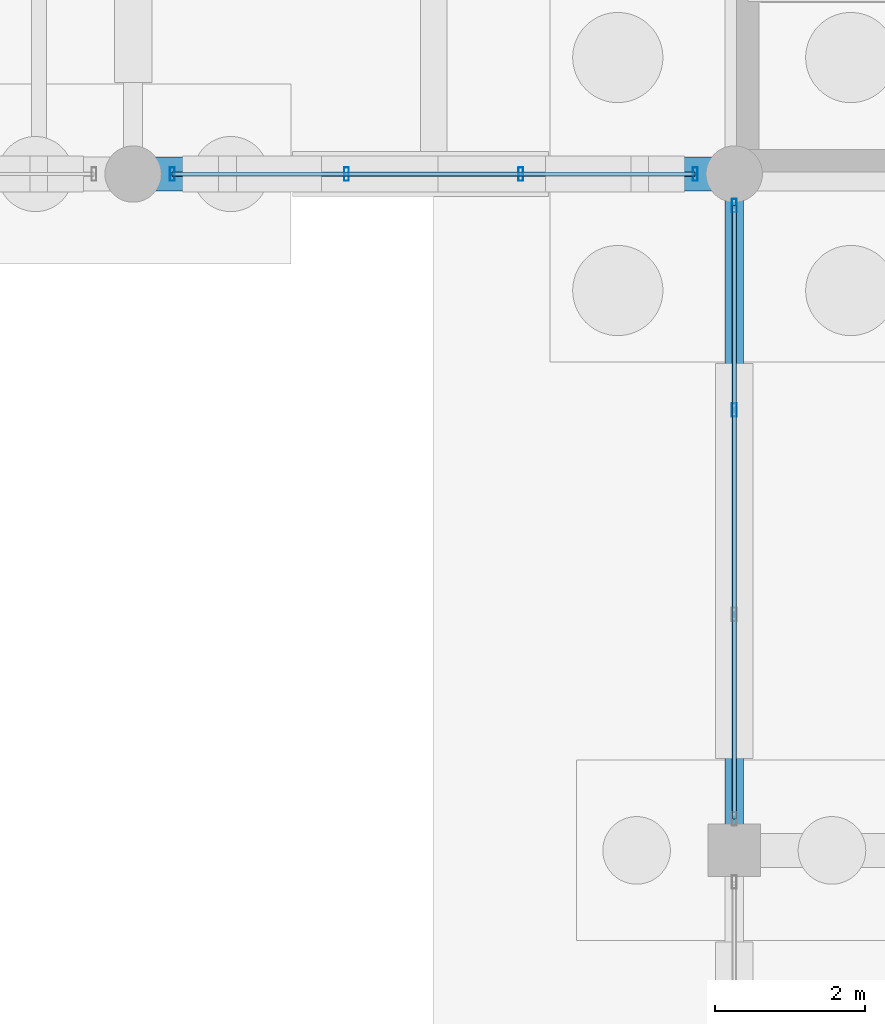
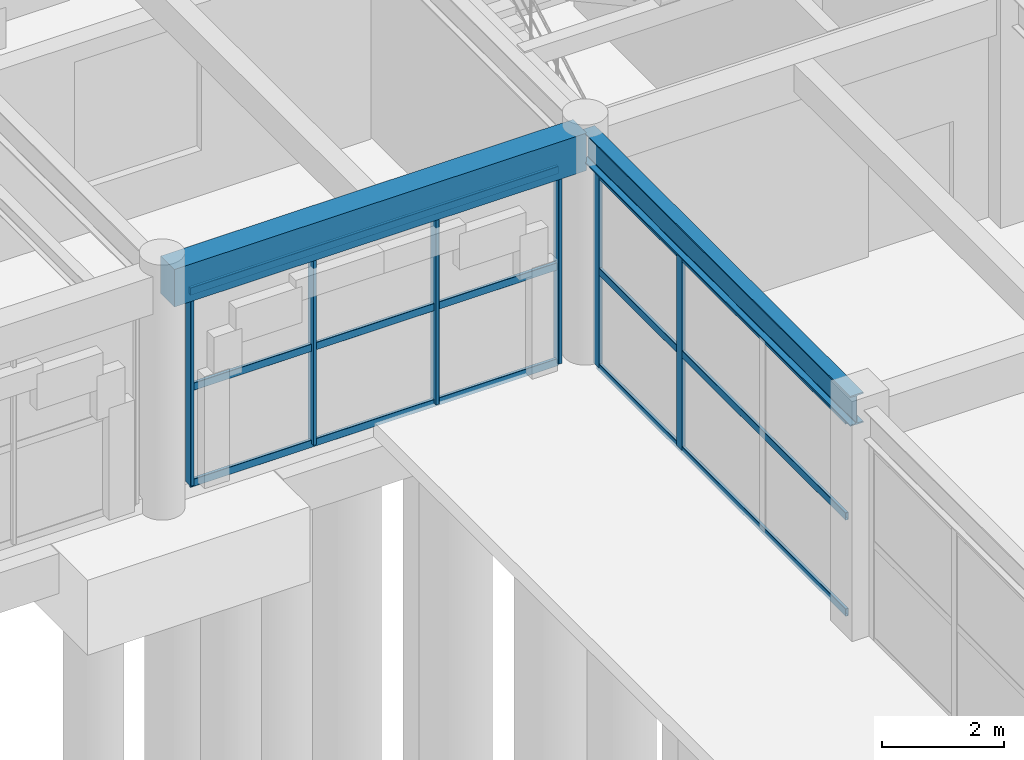
# One storey, part 68 of 147: 12 members, 2 beams, 2 elements without a shape of their own.
"""IFC4 building model written with IfcOpenShell, lengths in metres."""

from ifc_helpers import new_model, si_unit, direction, frame, origin, origin_2d, place, context, subcontext, project, spatial, rectangle, hollow_rectangle, i_section, extrude, material, material_profile, profile_set, type_object, element, aggregate, save


model = new_model("IFC4")

# Units and contexts
model_context = context("Model", 3, precision=1e-05, world=origin(), true_north=direction((0.0, 1.0)))
body_context = subcontext(model_context, "Body", "Model", "MODEL_VIEW")
ifc_project = project(units=[si_unit("LENGTHUNIT", "METRE"), si_unit("AREAUNIT", "SQUARE_METRE"), si_unit("VOLUMEUNIT", "CUBIC_METRE"), si_unit("PLANEANGLEUNIT", "RADIAN"), si_unit("MASSUNIT", "GRAM", prefix="KILO")], contexts=[model_context])

# Site, building, storey
site_placement = place(None, origin())
site = spatial("IfcSite", under=ifc_project, at=site_placement, CompositionType="ELEMENT")
building_placement = place(site_placement, origin())
building = spatial("IfcBuilding", under=site, at=building_placement, Name="Varnabhumi Central Station", CompositionType="ELEMENT")
storey_placement = place(building_placement, origin())
storey = spatial("IfcBuildingStorey", under=building, at=storey_placement, Name="L00", CompositionType="ELEMENT", Elevation=0.0)

# Beams
ifc_material_1 = material(Name="Concrete M40", Category="concrete")
ifc_material_profile_1 = material_profile(ifc_material_1, rectangle(XDim=0.449951171875, YDim=0.75, at=origin_2d()), Name="Concrete M40", Category="concrete")
ifc_profile_set_1 = profile_set([ifc_material_profile_1], Name="Concrete M40")
beam_type_1 = type_object("IfcBeamType", Name="BM-RC-450x750", PredefinedType="BEAM", material=ifc_profile_set_1)
beam_1_placement = place(storey_placement, frame((72.10009765625, 107.0, 4.175048828125), z_axis=(1.0, 0.0, 0.0), x_axis=(0.0, 1.0, 0.0)))
element("IfcBeam", 1, at=beam_1_placement, inside=storey, type_object=beam_type_1, Name="Beam L00-N:10-11", PredefinedType="BEAM", context=body_context, shape_type="SweptSolid", body=[
    extrude(rectangle(XDim=0.449951171875, YDim=0.75, at=origin_2d()), origin(), (0.0, 0.0, 1.0), 7.7998046875),
])
ifc_material_2 = material(Name="Structural steel E350", Category="steel")
ifc_material_profile_2 = material_profile(ifc_material_2, i_section(OverallWidth=0.25, OverallDepth=0.60009765625, WebThickness=0.01171875, FlangeThickness=0.023681640625, FilletRadius=0.01708984375, at=origin_2d()), Name="Structural steel E350", Category="steel")
ifc_profile_set_2 = profile_set([ifc_material_profile_2], Name="Structural steel E350")
beam_type_2 = type_object("IfcBeamType", Name="BM-SEC-ISWB600", PredefinedType="BEAM", material=ifc_profile_set_2)
beam_2_placement = place(storey_placement, frame((80.0, 98.10009765625, 4.25), z_axis=(0.0, 1.0, 0.0), x_axis=(-1.0, 0.0, 0.0)))
element("IfcBeam", 2, at=beam_2_placement, inside=storey, type_object=beam_type_2, Name="Beam L00-11:M-N", PredefinedType="BEAM", context=body_context, shape_type="SweptSolid", body=[
    extrude(i_section(OverallWidth=0.25, OverallDepth=0.60009765625, WebThickness=0.01171875, FlangeThickness=0.023681640625, FilletRadius=0.01708984375, at=origin_2d()), origin(), (0.0, 0.0, 1.0), 8.7998046875),
])

# Curtain wall, members
ifc_material_3 = material(Name="Anodised aluminium 6063-T6", Category="aluminium")
curtain_wall_type = type_object("IfcCurtainWallType", Name="CW-PATIO-LOGGIA-L0", PredefinedType="NOTDEFINED", material=ifc_material_3)
curtain_wall_1_placement = place(storey_placement, origin())
curtain_wall_1 = element("IfcCurtainWall", 3, at=curtain_wall_1_placement, inside=storey, type_object=curtain_wall_type, Name="Curtain Wall CW-NP0W2", PredefinedType="NOTDEFINED")
ifc_material_profile_3 = material_profile(ifc_material_3, hollow_rectangle(XDim=0.06494140625, YDim=0.179931640625, WallThickness=0.00390625, InnerFilletRadius=0.001953125, OuterFilletRadius=0.006103515625, at=origin_2d()), Name="Anodised aluminium 6063-T6", Category="aluminium")
ifc_profile_set_3 = profile_set([ifc_material_profile_3], Name="Anodised aluminium 6063-T6")
member_type_1 = type_object("IfcMemberType", Name="CW-MUL-180", PredefinedType="MULLION", material=ifc_profile_set_3)
member_1_placement = place(storey_placement, frame((80.0, 103.860107421875, 0.0), z_axis=(0.0, 0.0, 1.0), x_axis=(1.0, 0.0, 0.0)))
member_1 = element("IfcMember", 4, at=member_1_placement, type_object=member_type_1, Name="Curtain Wall Mullion CW-NP0W2-M3", PredefinedType="MULLION", context=body_context, shape_type="SweptSolid", body=[
    extrude(hollow_rectangle(XDim=0.06494140625, YDim=0.179931640625, WallThickness=0.00390625, InnerFilletRadius=0.001953125, OuterFilletRadius=0.006103515625, at=origin_2d()), origin(), (0.0, 0.0, 1.0), 3.840087890625),
])
member_2_placement = place(storey_placement, frame((80.0, 106.580078125, 0.0), z_axis=(0.0, 0.0, 1.0), x_axis=(1.0, 0.0, 0.0)))
member_2 = element("IfcMember", 5, at=member_2_placement, type_object=member_type_1, Name="Curtain Wall Mullion CW-NP0W2-M4", PredefinedType="MULLION", context=body_context, shape_type="SweptSolid", body=[
    extrude(hollow_rectangle(XDim=0.06494140625, YDim=0.179931640625, WallThickness=0.00390625, InnerFilletRadius=0.001953125, OuterFilletRadius=0.006103515625, at=origin_2d()), origin(), (0.0, 0.0, 1.0), 3.840087890625),
])

curtain_wall_2_placement = place(storey_placement, origin())
curtain_wall_2 = element("IfcCurtainWall", 6, at=curtain_wall_2_placement, inside=storey, type_object=curtain_wall_type, Name="Curtain Wall CW-NP0N4", PredefinedType="NOTDEFINED")
member_3_placement = place(storey_placement, frame((72.52001953125, 107.0, 0.0), z_axis=(0.0, 0.0, 1.0), x_axis=(1.0, 0.0, 0.0)))
member_3 = element("IfcMember", 7, at=member_3_placement, type_object=member_type_1, Name="Curtain Wall Mullion CW-NP0N4-M1", PredefinedType="MULLION", context=body_context, shape_type="SweptSolid", body=[
    extrude(hollow_rectangle(XDim=0.06494140625, YDim=0.179931640625, WallThickness=0.00390625, InnerFilletRadius=0.001953125, OuterFilletRadius=0.006103515625, at=origin_2d()), origin(), (0.0, 0.0, 1.0), 3.840087890625),
])
member_4_placement = place(storey_placement, frame((74.840087890625, 107.0, 0.0), z_axis=(0.0, 0.0, 1.0), x_axis=(1.0, 0.0, 0.0)))
member_4 = element("IfcMember", 8, at=member_4_placement, type_object=member_type_1, Name="Curtain Wall Mullion CW-NP0N4-M2", PredefinedType="MULLION", context=body_context, shape_type="SweptSolid", body=[
    extrude(hollow_rectangle(XDim=0.06494140625, YDim=0.179931640625, WallThickness=0.00390625, InnerFilletRadius=0.001953125, OuterFilletRadius=0.006103515625, at=origin_2d()), origin(), (0.0, 0.0, 1.0), 3.840087890625),
])
member_5_placement = place(storey_placement, frame((77.159912109375, 107.0, 0.0), z_axis=(0.0, 0.0, 1.0), x_axis=(1.0, 0.0, 0.0)))
member_5 = element("IfcMember", 9, at=member_5_placement, type_object=member_type_1, Name="Curtain Wall Mullion CW-NP0N4-M3", PredefinedType="MULLION", context=body_context, shape_type="SweptSolid", body=[
    extrude(hollow_rectangle(XDim=0.06494140625, YDim=0.179931640625, WallThickness=0.00390625, InnerFilletRadius=0.001953125, OuterFilletRadius=0.006103515625, at=origin_2d()), origin(), (0.0, 0.0, 1.0), 3.840087890625),
])
member_6_placement = place(storey_placement, frame((79.47998046875, 107.0, 0.0), z_axis=(0.0, 0.0, 1.0), x_axis=(1.0, 0.0, 0.0)))
member_6 = element("IfcMember", 10, at=member_6_placement, type_object=member_type_1, Name="Curtain Wall Mullion CW-NP0N4-M4", PredefinedType="MULLION", context=body_context, shape_type="SweptSolid", body=[
    extrude(hollow_rectangle(XDim=0.06494140625, YDim=0.179931640625, WallThickness=0.00390625, InnerFilletRadius=0.001953125, OuterFilletRadius=0.006103515625, at=origin_2d()), origin(), (0.0, 0.0, 1.0), 3.840087890625),
])

# Member
ifc_material_profile_4 = material_profile(ifc_material_3, hollow_rectangle(XDim=0.06005859375, YDim=0.14990234375, WallThickness=0.00390625, InnerFilletRadius=0.001953125, OuterFilletRadius=0.006103515625, at=origin_2d()), Name="Anodised aluminium 6063-T6", Category="aluminium")
ifc_profile_set_4 = profile_set([ifc_material_profile_4], Name="Anodised aluminium 6063-T6")
member_type_2 = type_object("IfcMemberType", Name="CW-TR-150", PredefinedType="USERDEFINED", material=ifc_profile_set_4)
member_7_placement = place(storey_placement, frame((80.0, 98.419921875, 0.0), z_axis=(0.0, 1.0, 0.0), x_axis=(-1.0, 0.0, 0.0)))
member_7 = element("IfcMember", 11, at=member_7_placement, type_object=member_type_2, Name="Curtain Wall Transom CW-NP0W2-T1", ObjectType="TRANSOM", PredefinedType="USERDEFINED", context=body_context, shape_type="SweptSolid", body=[
    extrude(hollow_rectangle(XDim=0.06005859375, YDim=0.14990234375, WallThickness=0.00390625, InnerFilletRadius=0.001953125, OuterFilletRadius=0.006103515625, at=origin_2d()), origin(), (0.0, 0.0, 1.0), 8.16015625),
])

member_8_placement = place(storey_placement, frame((80.0, 98.419921875, 1.919921875), z_axis=(0.0, 1.0, 0.0), x_axis=(-1.0, 0.0, 0.0)))
member_8 = element("IfcMember", 12, at=member_8_placement, type_object=member_type_2, Name="Curtain Wall Transom CW-NP0W2-T2", ObjectType="TRANSOM", PredefinedType="USERDEFINED", context=body_context, shape_type="SweptSolid", body=[
    extrude(hollow_rectangle(XDim=0.06005859375, YDim=0.14990234375, WallThickness=0.00390625, InnerFilletRadius=0.001953125, OuterFilletRadius=0.006103515625, at=origin_2d()), origin(), (0.0, 0.0, 1.0), 8.16015625),
])

member_9_placement = place(storey_placement, frame((80.0, 98.419921875, 3.840087890625), z_axis=(0.0, 1.0, 0.0), x_axis=(-1.0, 0.0, 0.0)))
member_9 = element("IfcMember", 13, at=member_9_placement, type_object=member_type_2, Name="Curtain Wall Transom CW-NP0W2-T3", ObjectType="TRANSOM", PredefinedType="USERDEFINED", context=body_context, shape_type="SweptSolid", body=[
    extrude(hollow_rectangle(XDim=0.06005859375, YDim=0.14990234375, WallThickness=0.00390625, InnerFilletRadius=0.001953125, OuterFilletRadius=0.006103515625, at=origin_2d()), origin(), (0.0, 0.0, 1.0), 8.16015625),
])

aggregate(curtain_wall_1, [member_1, member_2, member_7, member_8, member_9])

member_10_placement = place(storey_placement, frame((72.52001953125, 107.0, 0.0), z_axis=(1.0, 0.0, 0.0), x_axis=(0.0, 1.0, 0.0)))
member_10 = element("IfcMember", 14, at=member_10_placement, type_object=member_type_2, Name="Curtain Wall Transom CW-NP0N4-T1", ObjectType="TRANSOM", PredefinedType="USERDEFINED", context=body_context, shape_type="SweptSolid", body=[
    extrude(hollow_rectangle(XDim=0.06005859375, YDim=0.14990234375, WallThickness=0.00390625, InnerFilletRadius=0.001953125, OuterFilletRadius=0.006103515625, at=origin_2d()), origin(), (0.0, 0.0, 1.0), 6.9599609375),
])

member_11_placement = place(storey_placement, frame((72.52001953125, 107.0, 1.919921875), z_axis=(1.0, 0.0, 0.0), x_axis=(0.0, 1.0, 0.0)))
member_11 = element("IfcMember", 15, at=member_11_placement, type_object=member_type_2, Name="Curtain Wall Transom CW-NP0N4-T2", ObjectType="TRANSOM", PredefinedType="USERDEFINED", context=body_context, shape_type="SweptSolid", body=[
    extrude(hollow_rectangle(XDim=0.06005859375, YDim=0.14990234375, WallThickness=0.00390625, InnerFilletRadius=0.001953125, OuterFilletRadius=0.006103515625, at=origin_2d()), origin(), (0.0, 0.0, 1.0), 6.9599609375),
])

member_12_placement = place(storey_placement, frame((72.52001953125, 107.0, 3.840087890625), z_axis=(1.0, 0.0, 0.0), x_axis=(0.0, 1.0, 0.0)))
member_12 = element("IfcMember", 16, at=member_12_placement, type_object=member_type_2, Name="Curtain Wall Transom CW-NP0N4-T3", ObjectType="TRANSOM", PredefinedType="USERDEFINED", context=body_context, shape_type="SweptSolid", body=[
    extrude(hollow_rectangle(XDim=0.06005859375, YDim=0.14990234375, WallThickness=0.00390625, InnerFilletRadius=0.001953125, OuterFilletRadius=0.006103515625, at=origin_2d()), origin(), (0.0, 0.0, 1.0), 6.9599609375),
])

aggregate(curtain_wall_2, [member_3, member_4, member_5, member_6, member_10, member_11, member_12])

save(model, "model.ifc")
